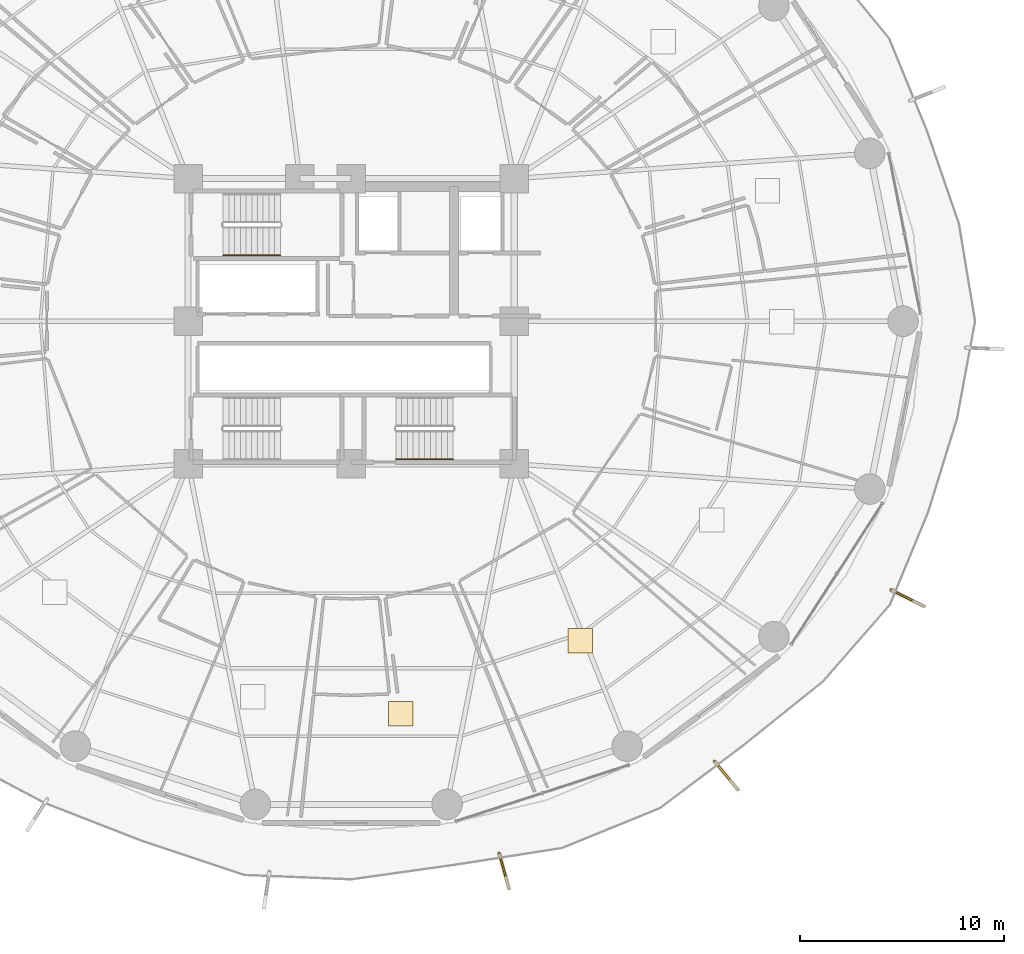
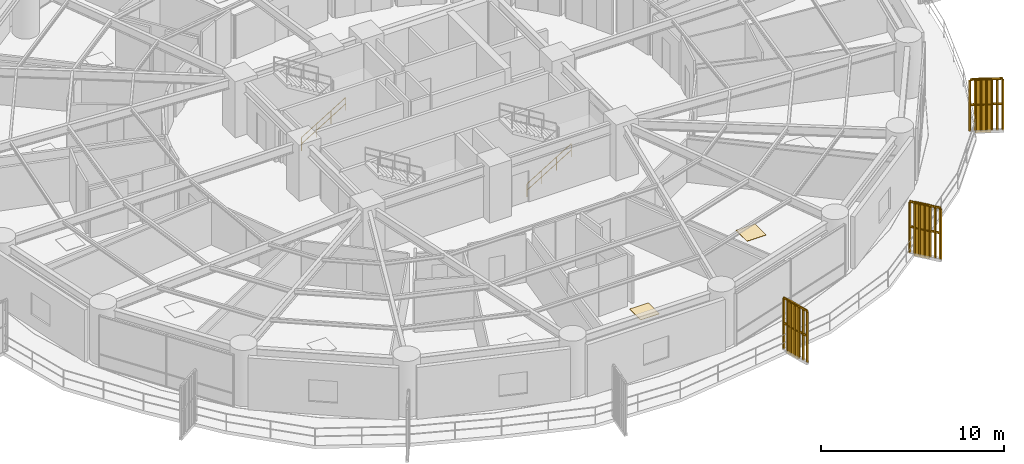
# One storey, part 30 of 33: 5 railings, 3 shading devices, 2 coverings.
"""IFC4 building model written with IfcOpenShell, lengths in metres."""

import ifcopenshell
import ifcopenshell.guid

model = None  # the IFC model being written
_history = None  # IfcOwnerHistory: only IFC2X3 demands one
_inside = {}  # id of a spatial element -> (the spatial element, [elements in it])
_under = {}  # id of a project, library or spatial element -> (it, [spatial elements below it])
_declared = {}  # id of a project -> (the project, [libraries it declares])
_typed = {}  # id of a type object -> (the type object, [elements of that type])
_made_of = {}  # id of a material, layer set ... -> (it, [elements and type objects made of it])


def new_model(schema):
    """Start an empty IFC model of exactly this schema.

    Asked for "IFC4X3", IfcOpenShell would pick the latest addendum, in which some entities
    have other attributes; the version numbers below select the first issue.
    IFC2X3 requires an IfcOwnerHistory on every rooted entity: one is made here for all.
    """
    global model, _history
    if schema == "IFC4X3":
        model = ifcopenshell.file(schema_version=(4, 3, 0, 0))
    else:
        model = ifcopenshell.file(schema=schema)
    _inside.clear()
    _under.clear()
    _declared.clear()
    _typed.clear()
    _made_of.clear()
    _history = None
    if model.schema == "IFC2X3":
        org = make("IfcOrganization", Name="unknown")
        user = make(
            "IfcPersonAndOrganization",
            ThePerson=make("IfcPerson", FamilyName="unknown"),
            TheOrganization=org,
        )
        app = make(
            "IfcApplication",
            ApplicationDeveloper=org,
            Version="unknown",
            ApplicationFullName="unknown",
            ApplicationIdentifier="unknown",
        )
        _history = make(
            "IfcOwnerHistory",
            OwningUser=user,
            OwningApplication=app,
            ChangeAction="ADDED",
            CreationDate=0,
        )
    return model


def make(cls, **values):
    """One entity of the class cls with the attributes given. An attribute that is None is left unset."""
    return model.create_entity(
        cls, **{name: value for name, value in values.items() if value is not None}
    )


def rooted(cls, **values):
    """An entity with a GlobalId (a new one), such as an element, a storey or a relation."""
    return make(cls, GlobalId=ifcopenshell.guid.new(), OwnerHistory=_history, **values)


def si_unit(unit_type, name, prefix=None):
    """IfcSIUnit, for example si_unit("LENGTHUNIT", "METRE", prefix="MILLI")."""
    return make("IfcSIUnit", UnitType=unit_type, Prefix=prefix, Name=name)


def assignment(units):
    """IfcUnitAssignment: the units of a project."""
    return None if units is None else make("IfcUnitAssignment", Units=units)


def point(xyz):
    """IfcCartesianPoint."""
    return None if xyz is None else make("IfcCartesianPoint", Coordinates=xyz)


def direction(xyz):
    """IfcDirection."""
    return None if xyz is None else make("IfcDirection", DirectionRatios=xyz)


def frame(location, z_axis=None, x_axis=None):
    """IfcAxis2Placement3D, a coordinate frame: its origin and axes. An axis left out is left unset."""
    return make(
        "IfcAxis2Placement3D",
        Location=point(location),
        Axis=direction(z_axis),
        RefDirection=direction(x_axis),
    )


def frame_2d(location, x_axis=None):
    """IfcAxis2Placement2D, a coordinate frame in the plane: its origin and x axis."""
    return make(
        "IfcAxis2Placement2D", Location=point(location), RefDirection=direction(x_axis)
    )


def origin():
    """The frame at (0, 0, 0) with its axes left unset."""
    return frame((0.0, 0.0, 0.0))


def origin_2d():
    """The frame at (0, 0) in the plane with its x axis left unset."""
    return frame_2d((0.0, 0.0))


def place(relative_to, where):
    """IfcLocalPlacement: puts the frame where relative to a parent placement (None: the world)."""
    return make(
        "IfcLocalPlacement", PlacementRelTo=relative_to, RelativePlacement=where
    )


def context(
    kind, dimensions, precision=None, world=None, true_north=None, identifier=None
):
    """IfcGeometricRepresentationContext, for example the 3D "Model" context."""
    return make(
        "IfcGeometricRepresentationContext",
        ContextIdentifier=identifier,
        ContextType=kind,
        CoordinateSpaceDimension=dimensions,
        Precision=precision,
        WorldCoordinateSystem=world,
        TrueNorth=true_north,
    )


def subcontext(parent, identifier, kind, view, scale=None):
    """IfcGeometricRepresentationSubContext, for example "Body" below "Model"."""
    return make(
        "IfcGeometricRepresentationSubContext",
        ContextIdentifier=identifier,
        ContextType=kind,
        ParentContext=parent,
        TargetScale=scale,
        TargetView=view,
    )


def project(units=None, contexts=None):
    """IfcProject with its units and contexts."""
    return rooted(
        "IfcProject",
        Name="project",
        RepresentationContexts=contexts,
        UnitsInContext=assignment(units),
    )


def spatial(cls, under=None, at=None, **own):
    """A site, building, storey or space (cls), placed at a placement, below another one or the project."""
    s = rooted(cls, ObjectPlacement=at, **own)
    if under is not None:
        _under.setdefault(under.id(), (under, []))[1].append(s)
    return s


def polyline(points):
    """IfcPolyline through the points."""
    return make("IfcPolyline", Points=[point(p) for p in points])


def profile(cls, at=None, kind="AREA", **sizes):
    """A parametric profile (cls). Its sizes go by their IFC names, for example OverallWidth=200.0."""
    return make(cls, ProfileType=kind, Position=at, **sizes)


def rectangle(**sizes):
    """IfcRectangleProfileDef."""
    return profile("IfcRectangleProfileDef", **sizes)


def outline(outer, holes=None, kind="AREA"):
    """IfcArbitraryClosedProfileDef: a profile drawn as a closed curve; with holes, ...WithVoids."""
    if holes is None:
        return make("IfcArbitraryClosedProfileDef", ProfileType=kind, OuterCurve=outer)
    return make(
        "IfcArbitraryProfileDefWithVoids",
        ProfileType=kind,
        OuterCurve=outer,
        InnerCurves=holes,
    )


def extrude(swept, where, along, depth):
    """IfcExtrudedAreaSolid: the profile swept, set in the frame where, extruded along a direction by depth."""
    return make(
        "IfcExtrudedAreaSolid",
        SweptArea=swept,
        Position=where,
        ExtrudedDirection=direction(along),
        Depth=depth,
    )


def shape(context_of_items, identifier, shape_type, items):
    """IfcShapeRepresentation: the items that make up one representation, for example the "Body"."""
    return make(
        "IfcShapeRepresentation",
        ContextOfItems=context_of_items,
        RepresentationIdentifier=identifier,
        RepresentationType=shape_type,
        Items=items,
    )


def source(mapping_origin, context_of_items, identifier, shape_type, items):
    """IfcRepresentationMap: a shape defined once, which mapped items show again and again."""
    return make(
        "IfcRepresentationMap",
        MappingOrigin=mapping_origin,
        MappedRepresentation=shape(context_of_items, identifier, shape_type, items),
    )


def transform(
    local_origin,
    x_axis=None,
    y_axis=None,
    z_axis=None,
    scale=None,
    scale2=None,
    scale3=None,
    uniform=True,
):
    """IfcCartesianTransformationOperator3D, or its non-uniform kind. x_axis, y_axis, z_axis: its Axis1, 2, 3."""
    if uniform:
        return make(
            "IfcCartesianTransformationOperator3D",
            Axis1=direction(x_axis),
            Axis2=direction(y_axis),
            LocalOrigin=point(local_origin),
            Scale=scale,
            Axis3=direction(z_axis),
        )
    return make(
        "IfcCartesianTransformationOperator3DnonUniform",
        Axis1=direction(x_axis),
        Axis2=direction(y_axis),
        LocalOrigin=point(local_origin),
        Scale=scale,
        Axis3=direction(z_axis),
        Scale2=scale2,
        Scale3=scale3,
    )


def mapped(mapping_source, mapping_target):
    """IfcMappedItem: shows the shape of a source again, moved by a transform."""
    return make(
        "IfcMappedItem", MappingSource=mapping_source, MappingTarget=mapping_target
    )


def material(Name=None, Category=None):
    """IfcMaterial."""
    return make("IfcMaterial", Name=Name, Category=Category)


def layer(
    of_material, thickness, ventilated=None, Name=None, Category=None, Priority=None
):
    """IfcMaterialLayer: one layer of a wall or slab, of a material (None: an air gap)."""
    return make(
        "IfcMaterialLayer",
        Material=of_material,
        LayerThickness=thickness,
        IsVentilated=ventilated,
        Name=Name,
        Category=Category,
        Priority=Priority,
    )


def layer_set(layers, Name=None):
    """IfcMaterialLayerSet."""
    return make("IfcMaterialLayerSet", MaterialLayers=layers, LayerSetName=Name)


def made_of(thing, what):
    """Note that an element or type object is made of a material, layer set ...; save() writes the relation."""
    if what is not None:
        _made_of.setdefault(what.id(), (what, []))[1].append(thing)
    return thing


def type_object(cls, material=None, **own):
    """A type object (cls), such as IfcWallType, which elements share."""
    return made_of(rooted(cls, **own), material)


def element(
    cls,
    number,
    at=None,
    inside=None,
    cuts=None,
    type_object=None,
    material=None,
    context=None,
    identifier="Body",
    shape_type=None,
    held_by="IfcProductDefinitionShape",
    body=None,
    shapes=None,
    **own,
):
    """One element of the class cls, such as IfcWall. Its Tag is "e" and its number.

    at: its placement. inside: the storey or other place that contains it. cuts: it is an
    opening in that element (IfcRelVoidsElement). A single representation is given by context,
    identifier, shape_type and body (its items); several are given by shapes. held_by: the class
    of the entity that holds the representations. save() writes the other relations.
    """
    e = rooted(cls, Tag="e%d" % number, ObjectPlacement=at, **own)
    if body is not None:
        shapes = [shape(context, identifier, shape_type, body)]
    if shapes is not None:
        e.Representation = make(held_by, Representations=shapes)
    if inside is not None:
        _inside.setdefault(inside.id(), (inside, []))[1].append(e)
    if cuts is not None:
        rooted(
            "IfcRelVoidsElement", RelatingBuildingElement=cuts, RelatedOpeningElement=e
        )
    if type_object is not None:
        _typed.setdefault(type_object.id(), (type_object, []))[1].append(e)
    return made_of(e, material)


def aggregate(whole, parts):
    """IfcRelAggregates: a whole, such as a stair, and the parts it consists of."""
    return rooted("IfcRelAggregates", RelatingObject=whole, RelatedObjects=parts)


def save(model, path):
    """Write the relations noted so far, then the file.

    IfcRelAggregates (storeys below a building ...), IfcRelContainedInSpatialStructure (elements
    in a storey), IfcRelDefinesByType, IfcRelAssociatesMaterial and IfcRelDeclares: one each for
    every whole, place, type object, material and project.
    """
    for whole, parts in _under.values():
        aggregate(whole, parts)
    for where, things in _inside.values():
        rooted(
            "IfcRelContainedInSpatialStructure",
            RelatedElements=things,
            RelatingStructure=where,
        )
    for kind, things in _typed.values():
        rooted("IfcRelDefinesByType", RelatedObjects=things, RelatingType=kind)
    for what, things in _made_of.values():
        rooted("IfcRelAssociatesMaterial", RelatedObjects=things, RelatingMaterial=what)
    for by, libraries in _declared.values():
        rooted("IfcRelDeclares", RelatingContext=by, RelatedDefinitions=libraries)
    model.write(path)


model = new_model("IFC4")

# Units and contexts
model_context = context("Model", 3, precision=1e-05, world=origin(), true_north=direction((0.0, 1.0)))
body_context = subcontext(model_context, "Body", "Model", "MODEL_VIEW")
ifc_project = project(units=[si_unit("LENGTHUNIT", "METRE"), si_unit("AREAUNIT", "SQUARE_METRE"), si_unit("VOLUMEUNIT", "CUBIC_METRE"), si_unit("PLANEANGLEUNIT", "RADIAN"), si_unit("MASSUNIT", "GRAM", prefix="KILO")], contexts=[model_context])

# Site, building, storey
site_placement = place(None, origin())
site = spatial("IfcSite", under=ifc_project, at=site_placement, CompositionType="ELEMENT")
building_placement = place(site_placement, origin())
building = spatial("IfcBuilding", under=site, at=building_placement, Name="Kelanora Arch Commons", CompositionType="ELEMENT")
storey_placement = place(building_placement, frame((0.0, 0.0, 45.0)))
storey = spatial("IfcBuildingStorey", under=building, at=storey_placement, Name="L11", CompositionType="ELEMENT", Elevation=45.0)

# Railings
ifc_material_1 = material(Name="Anodised bronze vertical shading fin rib assembly")
railing_type_1 = type_object("IfcRailingType", Name="RAIL-FIN-BRZ", PredefinedType="BALUSTRADE", material=ifc_material_1)
railing_1_placement = place(storey_placement, frame((81.260986328125, 31.892333984375, -0.02001953125)))
element("IfcRailing", 1, at=railing_1_placement, inside=storey, type_object=railing_type_1, Name="Sweeping Bronze Vertical Fin Blade L11-11", PredefinedType="BALUSTRADE", context=body_context, shape_type="SweptSolid", body=[
    extrude(outline(polyline([(0.06982421875, 0.0), (0.034912109375, 0.060546875), (-0.034912109375, 0.060546875), (-0.06982421875, 0.0), (-0.034912109375, -0.060546875), (0.034912109375, -0.060546875), (0.06982421875, 0.0)])), frame((0.0, 0.0, 3.419921875), z_axis=(0.267943818728, -0.963434538516, 0.0), x_axis=(0.963434538516, 0.267943818728, 0.0)), (0.0, 0.0, 1.0), 1.804931640625),
    extrude(outline(polyline([(0.06982421875, 0.0), (0.034912109375, 0.060546875), (-0.034912109375, 0.060546875), (-0.06982421875, 0.0), (-0.034912109375, -0.060546875), (0.034912109375, -0.060546875), (0.06982421875, 0.0)])), frame((0.0, 0.0, 1.7451171875), z_axis=(0.267943818728, -0.963434538516, 0.0), x_axis=(0.963434538516, 0.267943818728, 0.0)), (0.0, 0.0, 1.0), 1.804931640625),
    extrude(outline(polyline([(0.080078125, 0.0), (0.0400390625, 0.0693359375), (-0.0400390625, 0.0693359375), (-0.080078125, 0.0), (-0.0400390625, -0.0693359375), (0.0400390625, -0.0693359375), (0.080078125, 0.0)])), origin(), (0.0, 0.0, 1.0), 3.35009765625),
    extrude(outline(polyline([(0.080078125, 0.0), (0.0400390625, 0.0693359375), (-0.0400390625, 0.0693359375), (-0.080078125, 0.0), (-0.0400390625, -0.0693359375), (0.0400390625, -0.0693359375), (0.080078125, 0.0)])), frame((0.08056640625, -0.289794921875, 0.0)), (0.0, 0.0, 1.0), 3.35009765625),
    extrude(outline(polyline([(0.080078125, 0.0), (0.0400390625, 0.0693359375), (-0.0400390625, 0.0693359375), (-0.080078125, 0.0), (-0.0400390625, -0.0693359375), (0.0400390625, -0.0693359375), (0.080078125, 0.0)])), frame((0.1611328125, -0.57958984375, 0.0)), (0.0, 0.0, 1.0), 3.35009765625),
    extrude(outline(polyline([(0.080078125, 0.0), (0.0400390625, 0.0693359375), (-0.0400390625, 0.0693359375), (-0.080078125, 0.0), (-0.0400390625, -0.0693359375), (0.0400390625, -0.0693359375), (0.080078125, 0.0)])), frame((0.24169921875, -0.86962890625, 0.0)), (0.0, 0.0, 1.0), 3.35009765625),
    extrude(outline(polyline([(0.080078125, 0.0), (0.0400390625, 0.0693359375), (-0.0400390625, 0.0693359375), (-0.080078125, 0.0), (-0.0400390625, -0.0693359375), (0.0400390625, -0.0693359375), (0.080078125, 0.0)])), frame((0.322509765625, -1.159423828125, 0.0)), (0.0, 0.0, 1.0), 3.35009765625),
    extrude(outline(polyline([(0.080078125, 0.0), (0.0400390625, 0.0693359375), (-0.0400390625, 0.0693359375), (-0.080078125, 0.0), (-0.0400390625, -0.0693359375), (0.0400390625, -0.0693359375), (0.080078125, 0.0)])), frame((0.403076171875, -1.44921875, 0.0)), (0.0, 0.0, 1.0), 3.35009765625),
    extrude(outline(polyline([(0.080078125, 0.0), (0.0400390625, 0.0693359375), (-0.0400390625, 0.0693359375), (-0.080078125, 0.0), (-0.0400390625, -0.0693359375), (0.0400390625, -0.0693359375), (0.080078125, 0.0)])), frame((0.483642578125, -1.739013671875, 0.0)), (0.0, 0.0, 1.0), 3.35009765625),
])
railing_2_placement = place(storey_placement, frame((91.8291015625, 36.40380859375, -0.02001953125)))
element("IfcRailing", 2, at=railing_2_placement, inside=storey, type_object=railing_type_1, Name="Sweeping Bronze Vertical Fin Blade L11-12", PredefinedType="BALUSTRADE", context=body_context, shape_type="SweptSolid", body=[
    extrude(outline(polyline([(0.06982421875, 0.0), (0.034912109375, 0.060546875), (-0.034912109375, 0.060546875), (-0.06982421875, 0.0), (-0.034912109375, -0.060546875), (0.034912109375, -0.060546875), (0.06982421875, 0.0)])), frame((0.0, 0.0, 3.419921875), z_axis=(0.636678683811, -0.7711292068, 0.0), x_axis=(0.7711292068, 0.636678683811, 0.0)), (0.0, 0.0, 1.0), 1.804931640625),
    extrude(outline(polyline([(0.06982421875, 0.0), (0.034912109375, 0.060546875), (-0.034912109375, 0.060546875), (-0.06982421875, 0.0), (-0.034912109375, -0.060546875), (0.034912109375, -0.060546875), (0.06982421875, 0.0)])), frame((0.0, 0.0, 1.7451171875), z_axis=(0.636678683811, -0.7711292068, 0.0), x_axis=(0.7711292068, 0.636678683811, 0.0)), (0.0, 0.0, 1.0), 1.804931640625),
    extrude(outline(polyline([(0.080078125, 0.0), (0.0400390625, 0.0693359375), (-0.0400390625, 0.0693359375), (-0.080078125, 0.0), (-0.0400390625, -0.0693359375), (0.0400390625, -0.0693359375), (0.080078125, 0.0)])), origin(), (0.0, 0.0, 1.0), 3.35009765625),
    extrude(outline(polyline([(0.080078125, 0.0), (0.0400390625, 0.0693359375), (-0.0400390625, 0.0693359375), (-0.080078125, 0.0), (-0.0400390625, -0.0693359375), (0.0400390625, -0.0693359375), (0.080078125, 0.0)])), frame((0.19140625, -0.23193359375, 0.0)), (0.0, 0.0, 1.0), 3.35009765625),
    extrude(outline(polyline([(0.080078125, 0.0), (0.0400390625, 0.0693359375), (-0.0400390625, 0.0693359375), (-0.080078125, 0.0), (-0.0400390625, -0.0693359375), (0.0400390625, -0.0693359375), (0.080078125, 0.0)])), frame((0.383056640625, -0.4638671875, 0.0)), (0.0, 0.0, 1.0), 3.35009765625),
    extrude(outline(polyline([(0.080078125, 0.0), (0.0400390625, 0.0693359375), (-0.0400390625, 0.0693359375), (-0.080078125, 0.0), (-0.0400390625, -0.0693359375), (0.0400390625, -0.0693359375), (0.080078125, 0.0)])), frame((0.57470703125, -0.69580078125, 0.0)), (0.0, 0.0, 1.0), 3.35009765625),
    extrude(outline(polyline([(0.080078125, 0.0), (0.0400390625, 0.0693359375), (-0.0400390625, 0.0693359375), (-0.080078125, 0.0), (-0.0400390625, -0.0693359375), (0.0400390625, -0.0693359375), (0.080078125, 0.0)])), frame((0.76611328125, -0.927978515625, 0.0)), (0.0, 0.0, 1.0), 3.35009765625),
    extrude(outline(polyline([(0.080078125, 0.0), (0.0400390625, 0.0693359375), (-0.0400390625, 0.0693359375), (-0.080078125, 0.0), (-0.0400390625, -0.0693359375), (0.0400390625, -0.0693359375), (0.080078125, 0.0)])), frame((0.95751953125, -1.159912109375, 0.0)), (0.0, 0.0, 1.0), 3.35009765625),
    extrude(outline(polyline([(0.080078125, 0.0), (0.0400390625, 0.0693359375), (-0.0400390625, 0.0693359375), (-0.080078125, 0.0), (-0.0400390625, -0.0693359375), (0.0400390625, -0.0693359375), (0.080078125, 0.0)])), frame((1.149169921875, -1.391845703125, 0.0)), (0.0, 0.0, 1.0), 3.35009765625),
])
railing_3_placement = place(storey_placement, frame((100.4921875, 44.81591796875, -0.02001953125)))
element("IfcRailing", 3, at=railing_3_placement, inside=storey, type_object=railing_type_1, Name="Sweeping Bronze Vertical Fin Blade L11-13", PredefinedType="BALUSTRADE", context=body_context, shape_type="SweptSolid", body=[
    extrude(outline(polyline([(0.06982421875, 0.0), (0.034912109375, 0.060546875), (-0.034912109375, 0.060546875), (-0.06982421875, 0.0), (-0.034912109375, -0.060546875), (0.034912109375, -0.060546875), (0.06982421875, 0.0)])), frame((0.0, 0.0, 3.419921875), z_axis=(0.895237356555, -0.445589581821, 0.0), x_axis=(0.445589581821, 0.895237356555, 0.0)), (0.0, 0.0, 1.0), 1.8046875),
    extrude(outline(polyline([(0.06982421875, 0.0), (0.034912109375, 0.060546875), (-0.034912109375, 0.060546875), (-0.06982421875, 0.0), (-0.034912109375, -0.060546875), (0.034912109375, -0.060546875), (0.06982421875, 0.0)])), frame((0.0, 0.0, 1.7451171875), z_axis=(0.895237356555, -0.445589581821, 0.0), x_axis=(0.445589581821, 0.895237356555, 0.0)), (0.0, 0.0, 1.0), 1.8046875),
    extrude(outline(polyline([(0.080078125, 0.0), (0.0400390625, 0.0693359375), (-0.0400390625, 0.0693359375), (-0.080078125, 0.0), (-0.0400390625, -0.0693359375), (0.0400390625, -0.0693359375), (0.080078125, 0.0)])), origin(), (0.0, 0.0, 1.0), 3.35009765625),
    extrude(outline(polyline([(0.080078125, 0.0), (0.0400390625, 0.0693359375), (-0.0400390625, 0.0693359375), (-0.080078125, 0.0), (-0.0400390625, -0.0693359375), (0.0400390625, -0.0693359375), (0.080078125, 0.0)])), frame((0.269287109375, -0.134033203125, 0.0)), (0.0, 0.0, 1.0), 3.35009765625),
    extrude(outline(polyline([(0.080078125, 0.0), (0.0400390625, 0.0693359375), (-0.0400390625, 0.0693359375), (-0.080078125, 0.0), (-0.0400390625, -0.0693359375), (0.0400390625, -0.0693359375), (0.080078125, 0.0)])), frame((0.53857421875, -0.26806640625, 0.0)), (0.0, 0.0, 1.0), 3.35009765625),
    extrude(outline(polyline([(0.080078125, 0.0), (0.0400390625, 0.0693359375), (-0.0400390625, 0.0693359375), (-0.080078125, 0.0), (-0.0400390625, -0.0693359375), (0.0400390625, -0.0693359375), (0.080078125, 0.0)])), frame((0.807861328125, -0.402099609375, 0.0)), (0.0, 0.0, 1.0), 3.35009765625),
    extrude(outline(polyline([(0.080078125, 0.0), (0.0400390625, 0.0693359375), (-0.0400390625, 0.0693359375), (-0.080078125, 0.0), (-0.0400390625, -0.0693359375), (0.0400390625, -0.0693359375), (0.080078125, 0.0)])), frame((1.0771484375, -0.5361328125, 0.0)), (0.0, 0.0, 1.0), 3.35009765625),
    extrude(outline(polyline([(0.080078125, 0.0), (0.0400390625, 0.0693359375), (-0.0400390625, 0.0693359375), (-0.080078125, 0.0), (-0.0400390625, -0.0693359375), (0.0400390625, -0.0693359375), (0.080078125, 0.0)])), frame((1.346435546875, -0.670166015625, 0.0)), (0.0, 0.0, 1.0), 3.35009765625),
    extrude(outline(polyline([(0.080078125, 0.0), (0.0400390625, 0.0693359375), (-0.0400390625, 0.0693359375), (-0.080078125, 0.0), (-0.0400390625, -0.0693359375), (0.0400390625, -0.0693359375), (0.080078125, 0.0)])), frame((1.61572265625, -0.80419921875, 0.0)), (0.0, 0.0, 1.0), 3.35009765625),
])
ifc_material_2 = material(Name="Brushed stainless steel stair handrail", Category="steel")
railing_type_2 = type_object("IfcRailingType", Name="RAIL-STAIR-HND", PredefinedType="HANDRAIL", material=ifc_material_2)
railing_4_placement = place(storey_placement, frame((67.719970703125, 61.22998046875, 0.17041015625)))
element("IfcRailing", 4, at=railing_4_placement, inside=storey, type_object=railing_type_2, Name="L11 ST-T1 stair handrail 1", PredefinedType="HANDRAIL", context=body_context, shape_type="SweptSolid", body=[
    extrude(outline(polyline([(0.02392578125, 0.0), (0.011962890625, 0.020751953125), (-0.011962890625, 0.020751953125), (-0.02392578125, 0.0), (-0.011962890625, -0.020751953125), (0.011962890625, -0.020751953125), (0.02392578125, 0.0)])), frame((0.0, 0.0, 0.8759765625), z_axis=(0.854169791009, 0.0, 0.51999420009), x_axis=(0.0, 1.0, 0.0)), (0.0, 0.0, 1.0), 3.278076171875),
    extrude(outline(polyline([(0.02392578125, 0.0), (0.011962890625, 0.020751953125), (-0.011962890625, 0.020751953125), (-0.02392578125, 0.0), (-0.011962890625, -0.020751953125), (0.011962890625, -0.020751953125), (0.02392578125, 0.0)])), frame((0.0, 0.0, 0.449951171875), z_axis=(0.854169791009, 0.0, 0.51999420009), x_axis=(0.0, 1.0, 0.0)), (0.0, 0.0, 1.0), 3.278076171875),
    extrude(outline(polyline([(0.02099609375, 0.0), (0.010498046875, 0.01806640625), (-0.010498046875, 0.01806640625), (-0.02099609375, 0.0), (-0.010498046875, -0.01806640625), (0.010498046875, -0.01806640625), (0.02099609375, 0.0)])), origin(), (0.0, 0.0, 1.0), 0.851806640625),
    extrude(outline(polyline([(0.02099609375, 0.0), (0.010498046875, 0.01806640625), (-0.010498046875, 0.01806640625), (-0.02099609375, 0.0), (-0.010498046875, -0.01806640625), (0.010498046875, -0.01806640625), (0.02099609375, 0.0)])), frame((0.933349609375, 0.0, 0.568115234375)), (0.0, 0.0, 1.0), 0.851806640625),
    extrude(outline(polyline([(0.02099609375, 0.0), (0.010498046875, 0.01806640625), (-0.010498046875, 0.01806640625), (-0.02099609375, 0.0), (-0.010498046875, -0.01806640625), (0.010498046875, -0.01806640625), (0.02099609375, 0.0)])), frame((1.86669921875, 0.0, 1.136474609375)), (0.0, 0.0, 1.0), 0.851806640625),
    extrude(outline(polyline([(0.02099609375, 0.0), (0.010498046875, 0.01806640625), (-0.010498046875, 0.01806640625), (-0.02099609375, 0.0), (-0.010498046875, -0.01806640625), (0.010498046875, -0.01806640625), (0.02099609375, 0.0)])), frame((2.800048828125, 0.0, 1.70458984375)), (0.0, 0.0, 1.0), 0.851806640625),
])
railing_5_placement = place(storey_placement, frame((76.199951171875, 51.22998046875, 0.17041015625)))
element("IfcRailing", 5, at=railing_5_placement, inside=storey, type_object=railing_type_2, Name="L11 ST-T2 stair handrail 1", PredefinedType="HANDRAIL", context=body_context, shape_type="SweptSolid", body=[
    extrude(outline(polyline([(0.02392578125, 0.0), (0.011962890625, 0.020751953125), (-0.011962890625, 0.020751953125), (-0.02392578125, 0.0), (-0.011962890625, -0.020751953125), (0.011962890625, -0.020751953125), (0.02392578125, 0.0)])), frame((0.0, 0.0, 0.8759765625), z_axis=(0.854169791009, 0.0, 0.51999420009), x_axis=(0.0, 1.0, 0.0)), (0.0, 0.0, 1.0), 3.278076171875),
    extrude(outline(polyline([(0.02392578125, 0.0), (0.011962890625, 0.020751953125), (-0.011962890625, 0.020751953125), (-0.02392578125, 0.0), (-0.011962890625, -0.020751953125), (0.011962890625, -0.020751953125), (0.02392578125, 0.0)])), frame((0.0, 0.0, 0.449951171875), z_axis=(0.854169791009, 0.0, 0.51999420009), x_axis=(0.0, 1.0, 0.0)), (0.0, 0.0, 1.0), 3.278076171875),
    extrude(outline(polyline([(0.02099609375, 0.0), (0.010498046875, 0.01806640625), (-0.010498046875, 0.01806640625), (-0.02099609375, 0.0), (-0.010498046875, -0.01806640625), (0.010498046875, -0.01806640625), (0.02099609375, 0.0)])), origin(), (0.0, 0.0, 1.0), 0.851806640625),
    extrude(outline(polyline([(0.02099609375, 0.0), (0.010498046875, 0.01806640625), (-0.010498046875, 0.01806640625), (-0.02099609375, 0.0), (-0.010498046875, -0.01806640625), (0.010498046875, -0.01806640625), (0.02099609375, 0.0)])), frame((0.933349609375, 0.0, 0.568115234375)), (0.0, 0.0, 1.0), 0.851806640625),
    extrude(outline(polyline([(0.02099609375, 0.0), (0.010498046875, 0.01806640625), (-0.010498046875, 0.01806640625), (-0.02099609375, 0.0), (-0.010498046875, -0.01806640625), (0.010498046875, -0.01806640625), (0.02099609375, 0.0)])), frame((1.86669921875, 0.0, 1.136474609375)), (0.0, 0.0, 1.0), 0.851806640625),
    extrude(outline(polyline([(0.02099609375, 0.0), (0.010498046875, 0.01806640625), (-0.010498046875, 0.01806640625), (-0.02099609375, 0.0), (-0.010498046875, -0.01806640625), (0.010498046875, -0.01806640625), (0.02099609375, 0.0)])), frame((2.800048828125, 0.0, 1.70458984375)), (0.0, 0.0, 1.0), 0.851806640625),
])

# Shading devices
ifc_material_3 = material(Name="Terracotta ceramic-clad extruded aluminium fin", Category="masonry")
shading_device_type = type_object("IfcShadingDeviceType", Name="SHD-FIN-FLARE", PredefinedType="USERDEFINED", material=ifc_material_3)
shared_shape_1 = source(origin(), body_context, "Body", "SweptSolid", [
    extrude(rectangle(XDim=0.8798828125, YDim=0.090087890625, at=origin_2d()), origin(), (0.0, 0.0, 1.0), 3.610107421875),
])
for number, where, z_axis, x_axis, name in (
    (6, (81.453857421875, 31.19873046875, -0.14013671875), (0.0, 0.0, 1.0), (0.267911051866, -0.963443650811, 0.0), "Sweeping Terracotta Fin L11-11"),
    (7, (92.28759765625, 35.8486328125, -0.14013671875), (0.0, 0.0, 1.0), (0.636616760808, -0.771180329014, 0.0), "Sweeping Terracotta Fin L11-12"),
    (8, (101.13671875, 44.4951171875, -0.14013671875), (0.0, 0.0, 1.0), (0.895245648325, -0.445572922377, 0.0), "Sweeping Terracotta Fin L11-13"),
):
    element("IfcShadingDevice", number, at=place(storey_placement, frame(where, z_axis=z_axis, x_axis=x_axis)), inside=storey, type_object=shading_device_type, Name=name, ObjectType="FIN", PredefinedType="USERDEFINED", context=body_context, shape_type="MappedRepresentation", body=[
        mapped(shared_shape_1, transform((0.0, 0.0, 0.0), scale=1.0)),
    ])

# Coverings
ifc_material_4 = material(Name="Polished local granite terrazzo flooring", Category="masonry")
ifc_layer = layer(ifc_material_4, 0.030029296875)
ifc_layer_set = layer_set([ifc_layer], Name="Polished local granite terrazzo flooring")
covering_type = type_object("IfcCoveringType", Name="COV-FLR-TER", PredefinedType="FLOORING", material=ifc_layer_set)
shared_shape_2 = source(origin(), body_context, "Body", "SweptSolid", [
    extrude(rectangle(XDim=1.199951171875, YDim=1.199951171875, at=origin_2d()), origin(), (0.0, 0.0, 1.0), 0.030029296875),
])
for number, where, z_axis, x_axis, name in (
    (9, (76.42041015625, 38.73681640625, 0.0), (0.0, 0.0, 1.0), (1.0, 0.0, 0.0), "Co-Living Studio L11-11 Terrazzo Finish"),
    (10, (85.229736328125, 42.3271484375, 0.0), (0.0, 0.0, 1.0), (1.0, 0.0, 0.0), "Quiet Seminar Study Room L11-12 Terrazzo Finish"),
):
    element("IfcCovering", number, at=place(storey_placement, frame(where, z_axis=z_axis, x_axis=x_axis)), inside=storey, type_object=covering_type, Name=name, PredefinedType="FLOORING", context=body_context, shape_type="MappedRepresentation", body=[
        mapped(shared_shape_2, transform((0.0, 0.0, 0.0), scale=1.0)),
    ])

save(model, "model.ifc")
